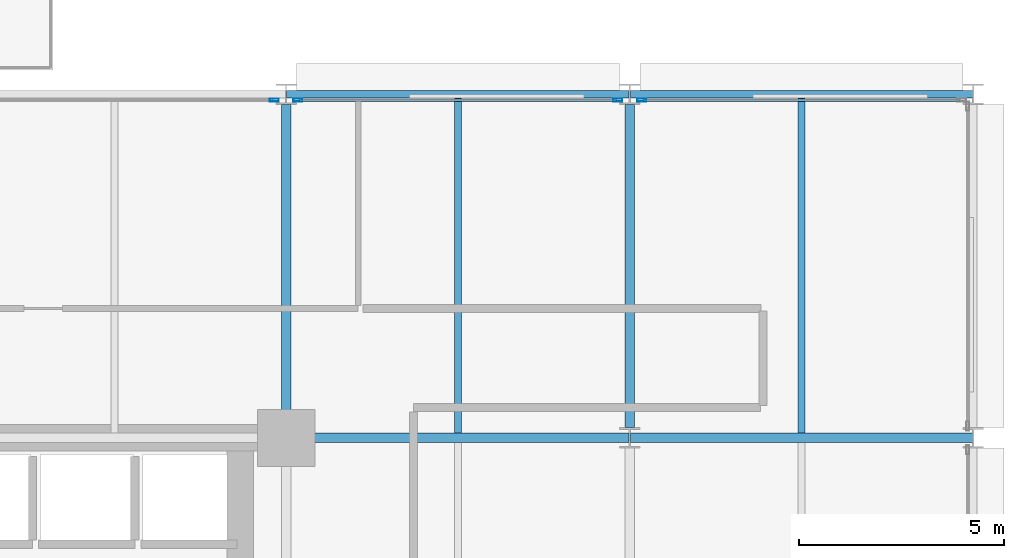
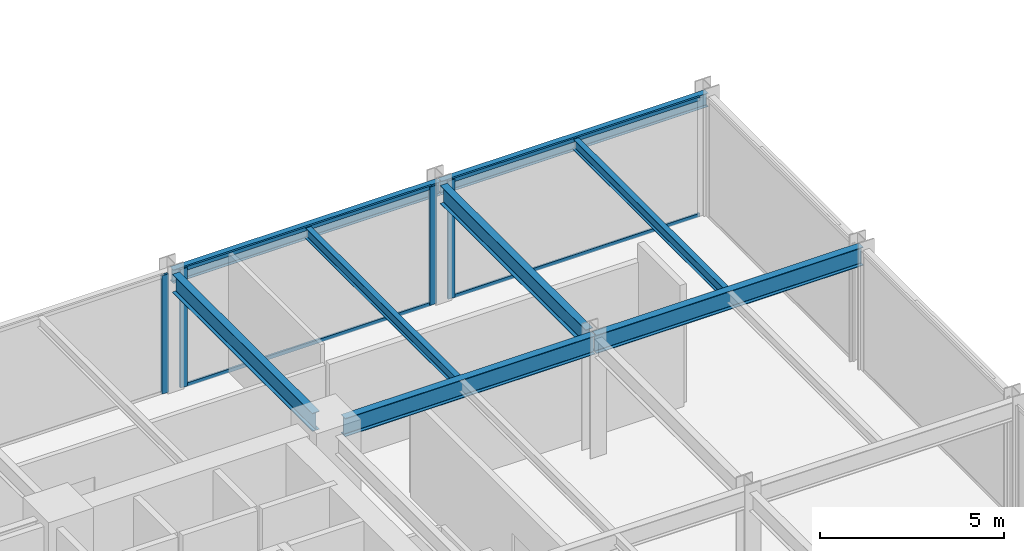
# One storey, part 12 of 25: 8 beams, 8 members, 3 elements without a shape of their own.
"""IFC4 building model written with IfcOpenShell, lengths in metres."""

from ifc_helpers import new_model, si_unit, direction, frame, origin, origin_2d, place, context, subcontext, project, spatial, hollow_rectangle, i_section, extrude, material, layer, layer_set, material_profile, profile_set, type_object, element, aggregate, save


model = new_model("IFC4")

# Units and contexts
model_context = context("Model", 3, precision=1e-05, world=origin(), true_north=direction((0.0, 1.0)))
body_context = subcontext(model_context, "Body", "Model", "MODEL_VIEW")
ifc_project = project(units=[si_unit("LENGTHUNIT", "METRE"), si_unit("AREAUNIT", "SQUARE_METRE"), si_unit("VOLUMEUNIT", "CUBIC_METRE"), si_unit("PLANEANGLEUNIT", "RADIAN"), si_unit("MASSUNIT", "GRAM", prefix="KILO")], contexts=[model_context])

# Site, building, storey
site_placement = place(None, origin())
site = spatial("IfcSite", under=ifc_project, at=site_placement, CompositionType="ELEMENT")
building_placement = place(site_placement, origin())
building = spatial("IfcBuilding", under=site, at=building_placement, Name="Nerrivon Quay Data Exchange", CompositionType="ELEMENT")
storey_placement = place(building_placement, frame((0.0, 0.0, 24.800048828125)))
storey = spatial("IfcBuildingStorey", under=building, at=storey_placement, Name="L05", CompositionType="ELEMENT", Elevation=24.800048828125)

# Beams
ifc_material_1 = material(Name="Steel Grade 350", Category="steel")
ifc_material_profile_1 = material_profile(ifc_material_1, i_section(OverallWidth=0.22900390625, OverallDepth=0.612060546875, WebThickness=0.011962890625, FlangeThickness=0.01953125, FilletRadius=0.013916015625, at=origin_2d()), Name="610UB125")
ifc_profile_set_1 = profile_set([ifc_material_profile_1], Name="Steel Grade 350")
beam_type_1 = type_object("IfcBeamType", Name="BM-G1-610UB125", PredefinedType="BEAM", material=ifc_profile_set_1)
beam_1_placement = place(storey_placement, frame((34.139892578125, 16.800048828125, 3.618896484375), z_axis=(1.0, 0.0, 0.0), x_axis=(0.0, 1.0, 0.0)))
element("IfcBeam", 1, at=beam_1_placement, inside=storey, type_object=beam_type_1, Name="L05 EW Girder Y=16.8 (33.6..42.0)", PredefinedType="BEAM", context=body_context, shape_type="SweptSolid", body=[
    extrude(i_section(OverallWidth=0.22900390625, OverallDepth=0.612060546875, WebThickness=0.011962890625, FlangeThickness=0.01953125, FilletRadius=0.013916015625, at=origin_2d()), origin(), (0.0, 0.0, 1.0), 7.84619140625),
])
beam_2_placement = place(storey_placement, frame((42.013916015625, 16.800048828125, 3.618896484375), z_axis=(1.0, 0.0, 0.0), x_axis=(0.0, 1.0, 0.0)))
element("IfcBeam", 2, at=beam_2_placement, inside=storey, type_object=beam_type_1, Name="L05 EW Girder Y=16.8 (42.0..50.4)", PredefinedType="BEAM", context=body_context, shape_type="SweptSolid", body=[
    extrude(i_section(OverallWidth=0.22900390625, OverallDepth=0.612060546875, WebThickness=0.011962890625, FlangeThickness=0.01953125, FilletRadius=0.013916015625, at=origin_2d()), origin(), (0.0, 0.0, 1.0), 8.3720703125),
])
ifc_material_profile_2 = material_profile(ifc_material_1, i_section(OverallWidth=0.22802734375, OverallDepth=0.60205078125, WebThickness=0.010498046875, FlangeThickness=0.014892578125, FilletRadius=0.013916015625, at=origin_2d()), Name="610UB101")
ifc_profile_set_2 = profile_set([ifc_material_profile_2], Name="Steel Grade 350")
beam_type_2 = type_object("IfcBeamType", Name="BM-G2-610UB101", PredefinedType="BEAM", material=ifc_profile_set_2)
beam_3_placement = place(storey_placement, frame((33.60009765625, 17.340087890625, 3.6240234375), z_axis=(0.0, 1.0, 0.0), x_axis=(-1.0, 0.0, 0.0)))
element("IfcBeam", 3, at=beam_3_placement, inside=storey, type_object=beam_type_2, Name="L05 NS Girder X=33.6 (16.8..25.2)", PredefinedType="BEAM", context=body_context, shape_type="SweptSolid", body=[
    extrude(i_section(OverallWidth=0.22802734375, OverallDepth=0.60205078125, WebThickness=0.010498046875, FlangeThickness=0.014892578125, FilletRadius=0.013916015625, at=origin_2d()), origin(), (0.0, 0.0, 1.0), 7.60986328125),
])
beam_4_placement = place(storey_placement, frame((42.0, 17.050048828125, 3.6240234375), z_axis=(0.0, 1.0, 0.0), x_axis=(-1.0, 0.0, 0.0)))
element("IfcBeam", 4, at=beam_4_placement, inside=storey, type_object=beam_type_2, Name="L05 NS Girder X=42.0 (16.8..25.2)", PredefinedType="BEAM", context=body_context, shape_type="SweptSolid", body=[
    extrude(i_section(OverallWidth=0.22802734375, OverallDepth=0.60205078125, WebThickness=0.010498046875, FlangeThickness=0.014892578125, FilletRadius=0.013916015625, at=origin_2d()), origin(), (0.0, 0.0, 1.0), 7.89990234375),
])
ifc_material_profile_3 = material_profile(ifc_material_1, i_section(OverallWidth=0.172119140625, OverallDepth=0.35888671875, WebThickness=0.008056640625, FlangeThickness=0.012939453125, FilletRadius=0.011474609375, at=origin_2d()), Name="360UB56.7")
ifc_profile_set_3 = profile_set([ifc_material_profile_3], Name="Steel Grade 350")
beam_type_3 = type_object("IfcBeamType", Name="BM-J3-360UB57", PredefinedType="JOIST", material=ifc_profile_set_3)
for number, where, z_axis, x_axis, name in (
    (5, (37.800048828125, 16.91455078125, 3.745361328125), (0.0, 1.0, 0.0), (-1.0, 0.0, 0.0), "L05 Secondary Joist X=37.8 (16.8..25.2)"),
    (6, (46.199951171875, 16.91455078125, 3.745361328125), (0.0, 1.0, 0.0), (-1.0, 0.0, 0.0), "L05 Secondary Joist X=46.2 (16.8..25.2)"),
):
    element("IfcBeam", number, at=place(storey_placement, frame(where, z_axis=z_axis, x_axis=x_axis)), inside=storey, type_object=beam_type_3, Name=name, PredefinedType="JOIST", context=body_context, shape_type="SweptSolid", body=[
        extrude(i_section(OverallWidth=0.172119140625, OverallDepth=0.35888671875, WebThickness=0.008056640625, FlangeThickness=0.012939453125, FilletRadius=0.011474609375, at=origin_2d()), origin(), (0.0, 0.0, 1.0), 8.1904296875),
    ])
ifc_material_profile_4 = material_profile(ifc_material_1, i_section(OverallWidth=0.18994140625, OverallDepth=0.4541015625, WebThickness=0.008544921875, FlangeThickness=0.0126953125, FilletRadius=0.011474609375, at=origin_2d()), Name="460UB67.1")
ifc_profile_set_4 = profile_set([ifc_material_profile_4], Name="Steel Grade 350")
beam_type_4 = type_object("IfcBeamType", Name="BM-SP1-460UB67", PredefinedType="SPANDREL", material=ifc_profile_set_4)
for number, where, z_axis, x_axis, name in (
    (7, (33.614013671875, 25.199951171875, 3.697998046875), (1.0, 0.0, 0.0), (0.0, 1.0, 0.0), "L05 EW Girder Y=25.2 (33.6..42.0)"),
    (8, (42.013916015625, 25.199951171875, 3.697998046875), (1.0, 0.0, 0.0), (0.0, 1.0, 0.0), "L05 EW Girder Y=25.2 (42.0..50.4)"),
):
    element("IfcBeam", number, at=place(storey_placement, frame(where, z_axis=z_axis, x_axis=x_axis)), inside=storey, type_object=beam_type_4, Name=name, PredefinedType="SPANDREL", context=body_context, shape_type="SweptSolid", body=[
        extrude(i_section(OverallWidth=0.18994140625, OverallDepth=0.4541015625, WebThickness=0.008544921875, FlangeThickness=0.0126953125, FilletRadius=0.011474609375, at=origin_2d()), origin(), (0.0, 0.0, 1.0), 8.3720703125),
    ])

# Curtain wall, member
ifc_material_2 = material(Name="Anodised aluminium 6063-T6", Category="aluminium")
ifc_layer = layer(ifc_material_2, 0.219970703125)
ifc_layer_set = layer_set([ifc_layer], Name="Anodised aluminium 6063-T6")
curtain_wall_type = type_object("IfcCurtainWallType", Name="CW-SYS-01", PredefinedType="NOTDEFINED", material=ifc_layer_set)
curtain_wall_1_placement = place(storey_placement, origin())
curtain_wall_1 = element("IfcCurtainWall", 9, at=curtain_wall_1_placement, inside=storey, type_object=curtain_wall_type, Name="L05 Unitised Curtain Wall 28", PredefinedType="NOTDEFINED")
ifc_material_profile_5 = material_profile(ifc_material_2, hollow_rectangle(XDim=0.074951171875, YDim=0.219970703125, WallThickness=0.00390625, at=origin_2d()), Name="ALU-MULL-220x75")
ifc_profile_set_5 = profile_set([ifc_material_profile_5], Name="Anodised aluminium 6063-T6")
member_type_1 = type_object("IfcMemberType", Name="CWM-220x75", PredefinedType="MULLION", material=ifc_profile_set_5)
member_1_placement = place(storey_placement, frame((33.3125, 25.06005859375, 0.0), z_axis=(0.0, 0.0, 1.0), x_axis=(0.0, 1.0, 0.0)))
member_1 = element("IfcMember", 10, at=member_1_placement, type_object=member_type_1, Name="CW01 mullion 2", PredefinedType="MULLION", context=body_context, shape_type="SweptSolid", body=[
    extrude(hollow_rectangle(XDim=0.074951171875, YDim=0.219970703125, WallThickness=0.00390625, at=origin_2d()), origin(), (0.0, 0.0, 1.0), 3.925048828125),
])
aggregate(curtain_wall_1, [member_1])

# Curtain wall, members
curtain_wall_2_placement = place(storey_placement, origin())
curtain_wall_2 = element("IfcCurtainWall", 11, at=curtain_wall_2_placement, inside=storey, type_object=curtain_wall_type, Name="L05 Unitised Curtain Wall 29", PredefinedType="NOTDEFINED")
member_2_placement = place(storey_placement, frame((33.887451171875, 25.06005859375, 0.0), z_axis=(0.0, 0.0, 1.0), x_axis=(0.0, 1.0, 0.0)))
member_2 = element("IfcMember", 12, at=member_2_placement, type_object=member_type_1, Name="CW01 mullion 1", PredefinedType="MULLION", context=body_context, shape_type="SweptSolid", body=[
    extrude(hollow_rectangle(XDim=0.074951171875, YDim=0.219970703125, WallThickness=0.00390625, at=origin_2d()), origin(), (0.0, 0.0, 1.0), 3.925048828125),
])
member_3_placement = place(storey_placement, frame((41.71240234375, 25.06005859375, 0.0), z_axis=(0.0, 0.0, 1.0), x_axis=(0.0, 1.0, 0.0)))
member_3 = element("IfcMember", 13, at=member_3_placement, type_object=member_type_1, Name="CW01 mullion 2", PredefinedType="MULLION", context=body_context, shape_type="SweptSolid", body=[
    extrude(hollow_rectangle(XDim=0.074951171875, YDim=0.219970703125, WallThickness=0.00390625, at=origin_2d()), origin(), (0.0, 0.0, 1.0), 3.925048828125),
])

# Curtain wall, member
curtain_wall_3_placement = place(storey_placement, origin())
curtain_wall_3 = element("IfcCurtainWall", 14, at=curtain_wall_3_placement, inside=storey, type_object=curtain_wall_type, Name="L05 Unitised Curtain Wall 30", PredefinedType="NOTDEFINED")
member_4_placement = place(storey_placement, frame((42.28759765625, 25.06005859375, 0.0), z_axis=(0.0, 0.0, 1.0), x_axis=(0.0, 1.0, 0.0)))
member_4 = element("IfcMember", 15, at=member_4_placement, type_object=member_type_1, Name="CW01 mullion 1", PredefinedType="MULLION", context=body_context, shape_type="SweptSolid", body=[
    extrude(hollow_rectangle(XDim=0.074951171875, YDim=0.219970703125, WallThickness=0.00390625, at=origin_2d()), origin(), (0.0, 0.0, 1.0), 3.925048828125),
])

# Member
ifc_material_profile_6 = material_profile(ifc_material_2, hollow_rectangle(XDim=0.06005859375, YDim=0.1201171875, WallThickness=0.003173828125, at=origin_2d()), Name="ALU-TRAN-120x60")
ifc_profile_set_6 = profile_set([ifc_material_profile_6], Name="Anodised aluminium 6063-T6")
member_type_2 = type_object("IfcMemberType", Name="CWT-120x60", PredefinedType="USERDEFINED", material=ifc_profile_set_6)
member_5_placement = place(storey_placement, frame((33.925048828125, 25.06005859375, 0.032470703125), z_axis=(1.0, 0.0, 0.0), x_axis=(0.0, 1.0, 0.0)))
member_5 = element("IfcMember", 16, at=member_5_placement, type_object=member_type_2, Name="CW01 transom 1.1", ObjectType="TRANSOM", PredefinedType="USERDEFINED", context=body_context, shape_type="SweptSolid", body=[
    extrude(hollow_rectangle(XDim=0.06005859375, YDim=0.1201171875, WallThickness=0.003173828125, at=origin_2d()), origin(), (0.0, 0.0, 1.0), 7.75),
])

member_6_placement = place(storey_placement, frame((33.925048828125, 25.06005859375, 3.892333984375), z_axis=(1.0, 0.0, 0.0), x_axis=(0.0, 1.0, 0.0)))
member_6 = element("IfcMember", 17, at=member_6_placement, type_object=member_type_2, Name="CW01 transom 1.2", ObjectType="TRANSOM", PredefinedType="USERDEFINED", context=body_context, shape_type="SweptSolid", body=[
    extrude(hollow_rectangle(XDim=0.06005859375, YDim=0.1201171875, WallThickness=0.003173828125, at=origin_2d()), origin(), (0.0, 0.0, 1.0), 7.75),
])

aggregate(curtain_wall_2, [member_2, member_3, member_5, member_6])

member_7_placement = place(storey_placement, frame((42.324951171875, 25.06005859375, 0.032470703125), z_axis=(1.0, 0.0, 0.0), x_axis=(0.0, 1.0, 0.0)))
member_7 = element("IfcMember", 18, at=member_7_placement, type_object=member_type_2, Name="CW01 transom 1.1", ObjectType="TRANSOM", PredefinedType="USERDEFINED", context=body_context, shape_type="SweptSolid", body=[
    extrude(hollow_rectangle(XDim=0.06005859375, YDim=0.1201171875, WallThickness=0.003173828125, at=origin_2d()), origin(), (0.0, 0.0, 1.0), 7.75),
])

member_8_placement = place(storey_placement, frame((42.324951171875, 25.06005859375, 3.892333984375), z_axis=(1.0, 0.0, 0.0), x_axis=(0.0, 1.0, 0.0)))
member_8 = element("IfcMember", 19, at=member_8_placement, type_object=member_type_2, Name="CW01 transom 1.2", ObjectType="TRANSOM", PredefinedType="USERDEFINED", context=body_context, shape_type="SweptSolid", body=[
    extrude(hollow_rectangle(XDim=0.06005859375, YDim=0.1201171875, WallThickness=0.003173828125, at=origin_2d()), origin(), (0.0, 0.0, 1.0), 7.75),
])

aggregate(curtain_wall_3, [member_4, member_7, member_8])

save(model, "model.ifc")
